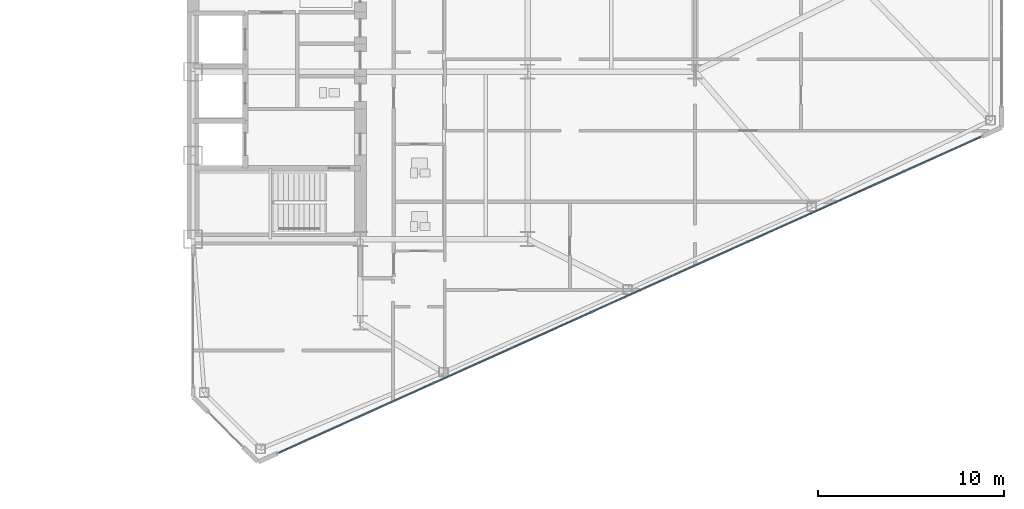
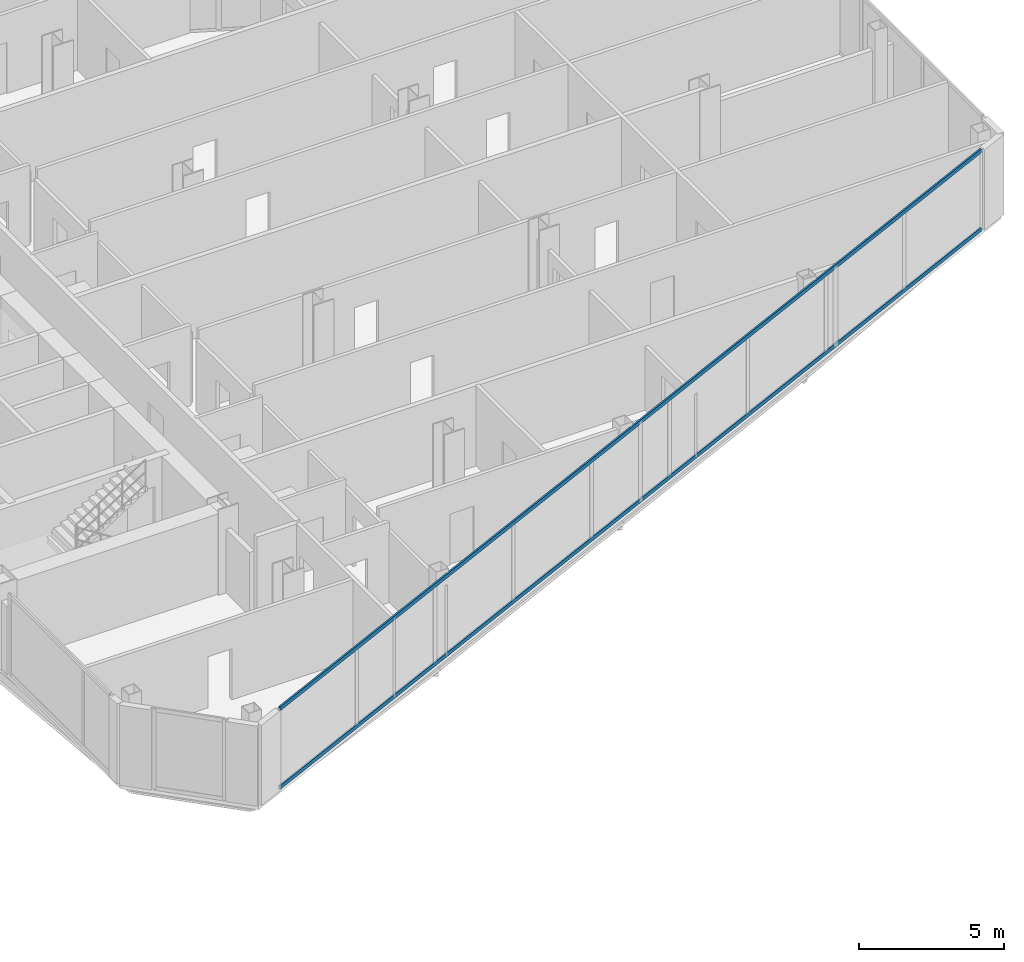
# One storey, part 11 of 27: 2 members, 1 element without a shape of its own.
"""IFC4 building model written with IfcOpenShell, lengths in metres."""

from ifc_helpers import new_model, si_unit, direction, frame, origin, origin_2d, place, context, subcontext, project, spatial, rectangle, extrude, source, transform, mapped, material, layer, layer_set, material_profile, profile_set, type_object, type_shapes, element, aggregate, save


model = new_model("IFC4")

# Units and contexts
model_context = context("Model", 3, precision=1e-05, world=origin(), true_north=direction((0.0, 1.0)))
body_context = subcontext(model_context, "Body", "Model", "MODEL_VIEW")
ifc_project = project(units=[si_unit("LENGTHUNIT", "METRE"), si_unit("AREAUNIT", "SQUARE_METRE"), si_unit("VOLUMEUNIT", "CUBIC_METRE"), si_unit("PLANEANGLEUNIT", "RADIAN"), si_unit("MASSUNIT", "GRAM", prefix="KILO")], contexts=[model_context])

# Site, building, storey
site_placement = place(None, origin())
site = spatial("IfcSite", under=ifc_project, at=site_placement, CompositionType="ELEMENT")
building_placement = place(site_placement, origin())
building = spatial("IfcBuilding", under=site, at=building_placement, Name="Seokmaru Belvedere", CompositionType="ELEMENT")
storey_placement = place(building_placement, frame((0.0, 0.0, 80.10009765625)))
storey = spatial("IfcBuildingStorey", under=building, at=storey_placement, Name="L21", CompositionType="ELEMENT", Elevation=80.10009765625)

# Curtain wall, members
ifc_material_1 = material(Name="Bronze Triple Insulating Glass", Category="glass")
ifc_layer = layer(ifc_material_1, 0.195068359375)
ifc_layer_set = layer_set([ifc_layer], Name="Bronze Triple Insulating Glass")
curtain_wall_type = type_object("IfcCurtainWallType", Name="Lower-Mid Tapered Curtain Wall System CW-3", PredefinedType="NOTDEFINED", material=ifc_layer_set)
curtain_wall_placement = place(storey_placement, origin())
curtain_wall = element("IfcCurtainWall", 1, at=curtain_wall_placement, inside=storey, type_object=curtain_wall_type, Name="L21 Curtain Wall EF1", PredefinedType="NOTDEFINED")
ifc_material_2 = material(Name="Anodised Bronze Aluminium", Category="aluminium")
ifc_material_profile = material_profile(ifc_material_2, rectangle(XDim=0.070068359375, YDim=0.1650390625, at=origin_2d()), Name="CW-T-70x165")
ifc_profile_set = profile_set([ifc_material_profile], Name="Anodised Bronze Aluminium")
member_type = type_object("IfcMemberType", Name="Bronze Unitised Transom 70x165", PredefinedType="USERDEFINED", material=ifc_profile_set)
shared_shape = source(origin(), body_context, "Body", "SweptSolid", [
    extrude(rectangle(XDim=0.070068359375, YDim=0.1650390625, at=origin_2d()), origin(), (0.0, 0.0, 1.0), 41.423583984375),
])
type_shapes(member_type, [shared_shape])
member_1_placement = place(storey_placement, frame((32.112548828125, -24.99951171875, 0.034912109375), z_axis=(0.911918637916, 0.410371048956, 0.0), x_axis=(-0.410371048956, 0.911918637916, 0.0)))
member_1 = element("IfcMember", 2, at=member_1_placement, type_object=member_type, Name="CW:L21:EF1 Continuous Transom 1", ObjectType="TRANSOM", PredefinedType="USERDEFINED", context=body_context, shape_type="MappedRepresentation", body=[
    mapped(shared_shape, transform((0.0, 0.0, 0.0), scale=1.0)),
])
member_2_placement = place(storey_placement, frame((32.112548828125, -24.99951171875, 3.344970703125), z_axis=(0.911918637916, 0.410371048956, 0.0), x_axis=(-0.410371048956, 0.911918637916, 0.0)))
member_2 = element("IfcMember", 3, at=member_2_placement, type_object=member_type, Name="CW:L21:EF1 Continuous Transom 2", ObjectType="TRANSOM", PredefinedType="USERDEFINED", context=body_context, shape_type="MappedRepresentation", body=[
    mapped(shared_shape, transform((0.0, 0.0, 0.0), scale=1.0)),
])
aggregate(curtain_wall, [member_1, member_2])

save(model, "model.ifc")
